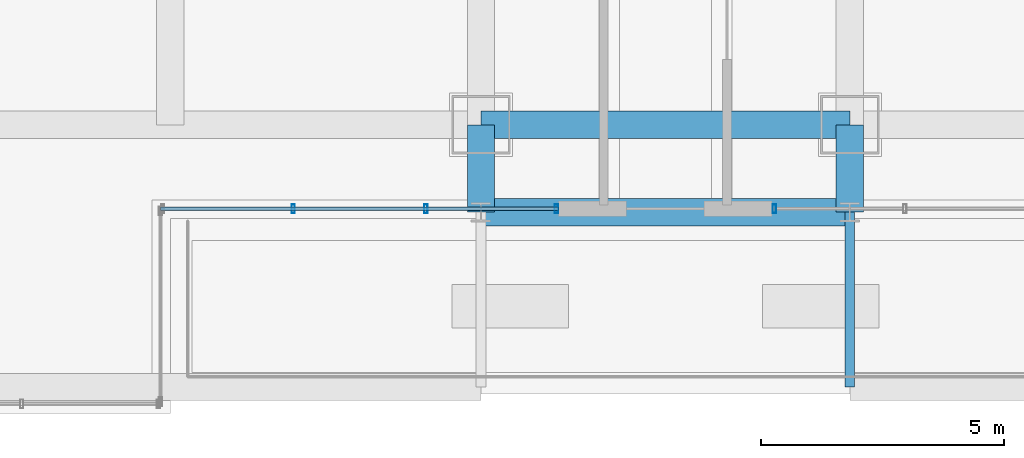
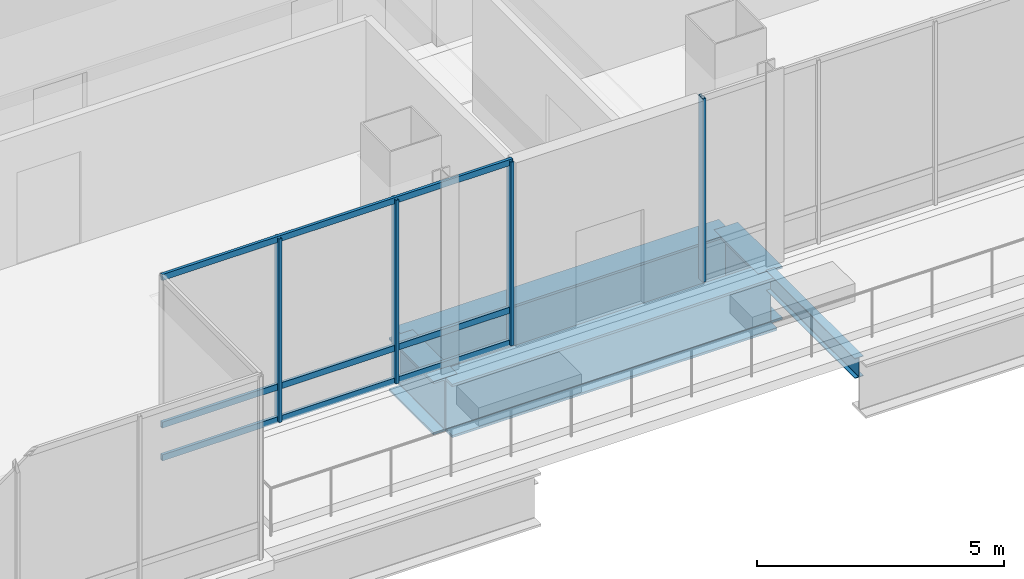
# One storey, part 7 of 44: 7 members, 5 beams, 2 elements without a shape of their own.
"""IFC4 building model written with IfcOpenShell, lengths in metres."""

import ifcopenshell
import ifcopenshell.guid

model = None  # the IFC model being written
_history = None  # IfcOwnerHistory: only IFC2X3 demands one
_inside = {}  # id of a spatial element -> (the spatial element, [elements in it])
_under = {}  # id of a project, library or spatial element -> (it, [spatial elements below it])
_declared = {}  # id of a project -> (the project, [libraries it declares])
_typed = {}  # id of a type object -> (the type object, [elements of that type])
_made_of = {}  # id of a material, layer set ... -> (it, [elements and type objects made of it])


def new_model(schema):
    """Start an empty IFC model of exactly this schema.

    Asked for "IFC4X3", IfcOpenShell would pick the latest addendum, in which some entities
    have other attributes; the version numbers below select the first issue.
    IFC2X3 requires an IfcOwnerHistory on every rooted entity: one is made here for all.
    """
    global model, _history
    if schema == "IFC4X3":
        model = ifcopenshell.file(schema_version=(4, 3, 0, 0))
    else:
        model = ifcopenshell.file(schema=schema)
    _inside.clear()
    _under.clear()
    _declared.clear()
    _typed.clear()
    _made_of.clear()
    _history = None
    if model.schema == "IFC2X3":
        org = make("IfcOrganization", Name="unknown")
        user = make(
            "IfcPersonAndOrganization",
            ThePerson=make("IfcPerson", FamilyName="unknown"),
            TheOrganization=org,
        )
        app = make(
            "IfcApplication",
            ApplicationDeveloper=org,
            Version="unknown",
            ApplicationFullName="unknown",
            ApplicationIdentifier="unknown",
        )
        _history = make(
            "IfcOwnerHistory",
            OwningUser=user,
            OwningApplication=app,
            ChangeAction="ADDED",
            CreationDate=0,
        )
    return model


def make(cls, **values):
    """One entity of the class cls with the attributes given. An attribute that is None is left unset."""
    return model.create_entity(
        cls, **{name: value for name, value in values.items() if value is not None}
    )


def rooted(cls, **values):
    """An entity with a GlobalId (a new one), such as an element, a storey or a relation."""
    return make(cls, GlobalId=ifcopenshell.guid.new(), OwnerHistory=_history, **values)


def si_unit(unit_type, name, prefix=None):
    """IfcSIUnit, for example si_unit("LENGTHUNIT", "METRE", prefix="MILLI")."""
    return make("IfcSIUnit", UnitType=unit_type, Prefix=prefix, Name=name)


def assignment(units):
    """IfcUnitAssignment: the units of a project."""
    return None if units is None else make("IfcUnitAssignment", Units=units)


def point(xyz):
    """IfcCartesianPoint."""
    return None if xyz is None else make("IfcCartesianPoint", Coordinates=xyz)


def direction(xyz):
    """IfcDirection."""
    return None if xyz is None else make("IfcDirection", DirectionRatios=xyz)


def frame(location, z_axis=None, x_axis=None):
    """IfcAxis2Placement3D, a coordinate frame: its origin and axes. An axis left out is left unset."""
    return make(
        "IfcAxis2Placement3D",
        Location=point(location),
        Axis=direction(z_axis),
        RefDirection=direction(x_axis),
    )


def frame_2d(location, x_axis=None):
    """IfcAxis2Placement2D, a coordinate frame in the plane: its origin and x axis."""
    return make(
        "IfcAxis2Placement2D", Location=point(location), RefDirection=direction(x_axis)
    )


def origin():
    """The frame at (0, 0, 0) with its axes left unset."""
    return frame((0.0, 0.0, 0.0))


def origin_2d():
    """The frame at (0, 0) in the plane with its x axis left unset."""
    return frame_2d((0.0, 0.0))


def place(relative_to, where):
    """IfcLocalPlacement: puts the frame where relative to a parent placement (None: the world)."""
    return make(
        "IfcLocalPlacement", PlacementRelTo=relative_to, RelativePlacement=where
    )


def context(
    kind, dimensions, precision=None, world=None, true_north=None, identifier=None
):
    """IfcGeometricRepresentationContext, for example the 3D "Model" context."""
    return make(
        "IfcGeometricRepresentationContext",
        ContextIdentifier=identifier,
        ContextType=kind,
        CoordinateSpaceDimension=dimensions,
        Precision=precision,
        WorldCoordinateSystem=world,
        TrueNorth=true_north,
    )


def subcontext(parent, identifier, kind, view, scale=None):
    """IfcGeometricRepresentationSubContext, for example "Body" below "Model"."""
    return make(
        "IfcGeometricRepresentationSubContext",
        ContextIdentifier=identifier,
        ContextType=kind,
        ParentContext=parent,
        TargetScale=scale,
        TargetView=view,
    )


def project(units=None, contexts=None):
    """IfcProject with its units and contexts."""
    return rooted(
        "IfcProject",
        Name="project",
        RepresentationContexts=contexts,
        UnitsInContext=assignment(units),
    )


def spatial(cls, under=None, at=None, **own):
    """A site, building, storey or space (cls), placed at a placement, below another one or the project."""
    s = rooted(cls, ObjectPlacement=at, **own)
    if under is not None:
        _under.setdefault(under.id(), (under, []))[1].append(s)
    return s


def profile(cls, at=None, kind="AREA", **sizes):
    """A parametric profile (cls). Its sizes go by their IFC names, for example OverallWidth=200.0."""
    return make(cls, ProfileType=kind, Position=at, **sizes)


def hollow_rectangle(**sizes):
    """IfcRectangleHollowProfileDef."""
    return profile("IfcRectangleHollowProfileDef", **sizes)


def i_section(**sizes):
    """IfcIShapeProfileDef."""
    return profile("IfcIShapeProfileDef", **sizes)


def extrude(swept, where, along, depth):
    """IfcExtrudedAreaSolid: the profile swept, set in the frame where, extruded along a direction by depth."""
    return make(
        "IfcExtrudedAreaSolid",
        SweptArea=swept,
        Position=where,
        ExtrudedDirection=direction(along),
        Depth=depth,
    )


def shape(context_of_items, identifier, shape_type, items):
    """IfcShapeRepresentation: the items that make up one representation, for example the "Body"."""
    return make(
        "IfcShapeRepresentation",
        ContextOfItems=context_of_items,
        RepresentationIdentifier=identifier,
        RepresentationType=shape_type,
        Items=items,
    )


def material(Name=None, Category=None):
    """IfcMaterial."""
    return make("IfcMaterial", Name=Name, Category=Category)


def material_profile(
    of_material, cross_section, Name=None, Category=None, Priority=None
):
    """IfcMaterialProfile: a cross section and its material."""
    return make(
        "IfcMaterialProfile",
        Name=Name,
        Material=of_material,
        Profile=cross_section,
        Priority=Priority,
        Category=Category,
    )


def profile_set(profiles, Name=None, composite=None):
    """IfcMaterialProfileSet."""
    return make(
        "IfcMaterialProfileSet",
        Name=Name,
        MaterialProfiles=profiles,
        CompositeProfile=composite,
    )


def made_of(thing, what):
    """Note that an element or type object is made of a material, layer set ...; save() writes the relation."""
    if what is not None:
        _made_of.setdefault(what.id(), (what, []))[1].append(thing)
    return thing


def type_object(cls, material=None, **own):
    """A type object (cls), such as IfcWallType, which elements share."""
    return made_of(rooted(cls, **own), material)


def element(
    cls,
    number,
    at=None,
    inside=None,
    cuts=None,
    type_object=None,
    material=None,
    context=None,
    identifier="Body",
    shape_type=None,
    held_by="IfcProductDefinitionShape",
    body=None,
    shapes=None,
    **own,
):
    """One element of the class cls, such as IfcWall. Its Tag is "e" and its number.

    at: its placement. inside: the storey or other place that contains it. cuts: it is an
    opening in that element (IfcRelVoidsElement). A single representation is given by context,
    identifier, shape_type and body (its items); several are given by shapes. held_by: the class
    of the entity that holds the representations. save() writes the other relations.
    """
    e = rooted(cls, Tag="e%d" % number, ObjectPlacement=at, **own)
    if body is not None:
        shapes = [shape(context, identifier, shape_type, body)]
    if shapes is not None:
        e.Representation = make(held_by, Representations=shapes)
    if inside is not None:
        _inside.setdefault(inside.id(), (inside, []))[1].append(e)
    if cuts is not None:
        rooted(
            "IfcRelVoidsElement", RelatingBuildingElement=cuts, RelatedOpeningElement=e
        )
    if type_object is not None:
        _typed.setdefault(type_object.id(), (type_object, []))[1].append(e)
    return made_of(e, material)


def aggregate(whole, parts):
    """IfcRelAggregates: a whole, such as a stair, and the parts it consists of."""
    return rooted("IfcRelAggregates", RelatingObject=whole, RelatedObjects=parts)


def save(model, path):
    """Write the relations noted so far, then the file.

    IfcRelAggregates (storeys below a building ...), IfcRelContainedInSpatialStructure (elements
    in a storey), IfcRelDefinesByType, IfcRelAssociatesMaterial and IfcRelDeclares: one each for
    every whole, place, type object, material and project.
    """
    for whole, parts in _under.values():
        aggregate(whole, parts)
    for where, things in _inside.values():
        rooted(
            "IfcRelContainedInSpatialStructure",
            RelatedElements=things,
            RelatingStructure=where,
        )
    for kind, things in _typed.values():
        rooted("IfcRelDefinesByType", RelatedObjects=things, RelatingType=kind)
    for what, things in _made_of.values():
        rooted("IfcRelAssociatesMaterial", RelatedObjects=things, RelatingMaterial=what)
    for by, libraries in _declared.values():
        rooted("IfcRelDeclares", RelatingContext=by, RelatedDefinitions=libraries)
    model.write(path)


model = new_model("IFC4")

# Units and contexts
model_context = context("Model", 3, precision=1e-05, world=origin(), true_north=direction((0.0, 1.0)))
body_context = subcontext(model_context, "Body", "Model", "MODEL_VIEW")
ifc_project = project(units=[si_unit("LENGTHUNIT", "METRE"), si_unit("AREAUNIT", "SQUARE_METRE"), si_unit("VOLUMEUNIT", "CUBIC_METRE"), si_unit("PLANEANGLEUNIT", "RADIAN"), si_unit("MASSUNIT", "GRAM", prefix="KILO")], contexts=[model_context])

# Site, building, storey
site_placement = place(None, origin())
site = spatial("IfcSite", under=ifc_project, at=site_placement, CompositionType="ELEMENT")
building_placement = place(site_placement, origin())
building = spatial("IfcBuilding", under=site, at=building_placement, Name="Punatoya Terracotta Tower", CompositionType="ELEMENT")
storey_placement = place(building_placement, frame((0.0, 0.0, 334.199951171875)))
storey = spatial("IfcBuildingStorey", under=building, at=storey_placement, Name="L79", CompositionType="ELEMENT", Elevation=334.199951171875)

# Beams
ifc_material_1 = material(Name="Steel S355", Category="steel")
ifc_material_profile_1 = material_profile(ifc_material_1, i_section(OverallWidth=0.199951171875, OverallDepth=0.5, WebThickness=0.01025390625, FlangeThickness=0.01611328125, FilletRadius=0.01806640625, at=origin_2d()))
ifc_profile_set_1 = profile_set([ifc_material_profile_1], Name="Steel S355")
beam_type_1 = type_object("IfcBeamType", Name="BM-SPN-500", PredefinedType="SPANDREL", material=ifc_profile_set_1)
beam_1_placement = place(storey_placement, frame((3.800048828125, -22.89990234375, -0.47998046875), z_axis=(0.0, 1.0, 0.0), x_axis=(-1.0, 0.0, 0.0)))
element("IfcBeam", 1, at=beam_1_placement, inside=storey, type_object=beam_type_1, Name="BM-L79-TERS-1-3", PredefinedType="SPANDREL", context=body_context, shape_type="SweptSolid", body=[
    extrude(i_section(OverallWidth=0.199951171875, OverallDepth=0.5, WebThickness=0.01025390625, FlangeThickness=0.01611328125, FilletRadius=0.01806640625, at=origin_2d()), origin(), (0.0, 0.0, 1.0), 3.599853515625),
])
ifc_material_2 = material(Name="Steel S460", Category="steel")
ifc_material_profile_2 = material_profile(ifc_material_2, i_section(OverallWidth=0.56005859375, OverallDepth=1.320068359375, WebThickness=0.035888671875, FlangeThickness=0.054931640625, FilletRadius=0.01806640625, at=origin_2d()))
ifc_profile_set_2 = profile_set([ifc_material_profile_2], Name="Steel S460")
beam_type_2 = type_object("IfcBeamType", Name="BM-TG-BLK", PredefinedType="BEAM", material=ifc_profile_set_2)
beam_2_placement = place(storey_placement, frame((-3.800048828125, -17.5, -0.919921875), z_axis=(1.0, 0.0, 0.0), x_axis=(0.0, 1.0, 0.0)))
element("IfcBeam", 2, at=beam_2_placement, inside=storey, type_object=beam_type_2, Name="BM-L79-RG-S2", PredefinedType="BEAM", context=body_context, shape_type="SweptSolid", body=[
    extrude(i_section(OverallWidth=0.56005859375, OverallDepth=1.320068359375, WebThickness=0.035888671875, FlangeThickness=0.054931640625, FilletRadius=0.01806640625, at=origin_2d()), origin(), (0.0, 0.0, 1.0), 7.60009765625),
])
for number, where, z_axis, x_axis, name in (
    (3, (-3.800048828125, -19.300048828125, -0.919921875), (0.0, 1.0, 0.0), (-1.0, 0.0, 0.0), "BM-L79-CANT-S2"),
    (4, (3.800048828125, -19.300048828125, -0.919921875), (0.0, 1.0, 0.0), (-1.0, 0.0, 0.0), "BM-L79-CANT-S3"),
):
    element("IfcBeam", number, at=place(storey_placement, frame(where, z_axis=z_axis, x_axis=x_axis)), inside=storey, type_object=beam_type_2, Name=name, PredefinedType="BEAM", context=body_context, shape_type="SweptSolid", body=[
        extrude(i_section(OverallWidth=0.56005859375, OverallDepth=1.320068359375, WebThickness=0.035888671875, FlangeThickness=0.054931640625, FilletRadius=0.01806640625, at=origin_2d()), origin(), (0.0, 0.0, 1.0), 1.800048828125),
    ])
beam_3_placement = place(storey_placement, frame((-3.800048828125, -19.300048828125, -0.919921875), z_axis=(1.0, 0.0, 0.0), x_axis=(0.0, 1.0, 0.0)))
element("IfcBeam", 5, at=beam_3_placement, inside=storey, type_object=beam_type_2, Name="BM-L79-PER-S2", PredefinedType="BEAM", context=body_context, shape_type="SweptSolid", body=[
    extrude(i_section(OverallWidth=0.56005859375, OverallDepth=1.320068359375, WebThickness=0.035888671875, FlangeThickness=0.054931640625, FilletRadius=0.01806640625, at=origin_2d()), origin(), (0.0, 0.0, 1.0), 7.60009765625),
])

# Curtain wall, members
ifc_material_3 = material(Name="Aluminium 6063-T6 + Double Low-E Glass", Category="aluminium")
curtain_wall_type = type_object("IfcCurtainWallType", Name="CW-OBS", PredefinedType="NOTDEFINED", material=ifc_material_3)
curtain_wall_1_placement = place(storey_placement, origin())
curtain_wall_1 = element("IfcCurtainWall", 6, at=curtain_wall_1_placement, inside=storey, type_object=curtain_wall_type, Name="L79 Curtain Wall CW-L79-S4A1", PredefinedType="NOTDEFINED")
ifc_material_4 = material(Name="Aluminium 6063-T6", Category="aluminium")
ifc_material_profile_3 = material_profile(ifc_material_4, hollow_rectangle(XDim=0.070068359375, YDim=0.179931640625, WallThickness=0.00390625, at=origin_2d()))
ifc_profile_set_3 = profile_set([ifc_material_profile_3], Name="Aluminium 6063-T6")
member_type_1 = type_object("IfcMemberType", Name="CW-MUL-M3", PredefinedType="MULLION", material=ifc_profile_set_3)
member_1_placement = place(storey_placement, frame((-7.666748046875, -19.22998046875, 0.0), z_axis=(0.0, 0.0, 1.0), x_axis=(1.0, 0.0, 0.0)))
member_1 = element("IfcMember", 7, at=member_1_placement, type_object=member_type_1, Name="CW-L79-S4A1 Mullion 01", PredefinedType="MULLION", context=body_context, shape_type="SweptSolid", body=[
    extrude(hollow_rectangle(XDim=0.070068359375, YDim=0.179931640625, WallThickness=0.00390625, at=origin_2d()), origin(), (0.0, 0.0, 1.0), 4.5400390625),
])
member_2_placement = place(storey_placement, frame((-4.933349609375, -19.22998046875, 0.0), z_axis=(0.0, 0.0, 1.0), x_axis=(1.0, 0.0, 0.0)))
member_2 = element("IfcMember", 8, at=member_2_placement, type_object=member_type_1, Name="CW-L79-S4A1 Mullion 02", PredefinedType="MULLION", context=body_context, shape_type="SweptSolid", body=[
    extrude(hollow_rectangle(XDim=0.070068359375, YDim=0.179931640625, WallThickness=0.00390625, at=origin_2d()), origin(), (0.0, 0.0, 1.0), 4.5400390625),
])
member_3_placement = place(storey_placement, frame((-2.2451171875, -19.22998046875, 0.0), z_axis=(0.0, 0.0, 1.0), x_axis=(1.0, 0.0, 0.0)))
member_3 = element("IfcMember", 9, at=member_3_placement, type_object=member_type_1, Name="CW-L79-S4A1 Mullion 03", PredefinedType="MULLION", context=body_context, shape_type="SweptSolid", body=[
    extrude(hollow_rectangle(XDim=0.070068359375, YDim=0.179931640625, WallThickness=0.00390625, at=origin_2d()), origin(), (0.0, 0.0, 1.0), 4.5400390625),
])

# Curtain wall, member
curtain_wall_2_placement = place(storey_placement, origin())
curtain_wall_2 = element("IfcCurtainWall", 10, at=curtain_wall_2_placement, inside=storey, type_object=curtain_wall_type, Name="L79 Curtain Wall CW-L79-S4B1", PredefinedType="NOTDEFINED")
member_4_placement = place(storey_placement, frame((2.2451171875, -19.22998046875, 0.0), z_axis=(0.0, 0.0, 1.0), x_axis=(1.0, 0.0, 0.0)))
member_4 = element("IfcMember", 11, at=member_4_placement, type_object=member_type_1, Name="CW-L79-S4B1 Mullion 00", PredefinedType="MULLION", context=body_context, shape_type="SweptSolid", body=[
    extrude(hollow_rectangle(XDim=0.070068359375, YDim=0.179931640625, WallThickness=0.00390625, at=origin_2d()), origin(), (0.0, 0.0, 1.0), 4.5400390625),
])
aggregate(curtain_wall_2, [member_4])

# Member
ifc_material_profile_4 = material_profile(ifc_material_4, hollow_rectangle(XDim=0.068115234375, YDim=0.14990234375, WallThickness=0.00390625, at=origin_2d()))
ifc_profile_set_4 = profile_set([ifc_material_profile_4], Name="Aluminium 6063-T6")
member_type_2 = type_object("IfcMemberType", Name="CW-TRN-TYP", PredefinedType="USERDEFINED", material=ifc_profile_set_4)
member_5_placement = place(storey_placement, frame((-10.39990234375, -19.22998046875, 0.0400390625), z_axis=(1.0, 0.0, 0.0), x_axis=(0.0, 1.0, 0.0)))
member_5 = element("IfcMember", 12, at=member_5_placement, type_object=member_type_2, Name="CW-L79-S4A1 Transom 1", ObjectType="TRANSOM", PredefinedType="USERDEFINED", context=body_context, shape_type="SweptSolid", body=[
    extrude(hollow_rectangle(XDim=0.068115234375, YDim=0.14990234375, WallThickness=0.00390625, at=origin_2d()), origin(), (0.0, 0.0, 1.0), 8.199951171875),
])

member_6_placement = place(storey_placement, frame((-10.39990234375, -19.22998046875, 0.85009765625), z_axis=(1.0, 0.0, 0.0), x_axis=(0.0, 1.0, 0.0)))
member_6 = element("IfcMember", 13, at=member_6_placement, type_object=member_type_2, Name="CW-L79-S4A1 Transom 2", ObjectType="TRANSOM", PredefinedType="USERDEFINED", context=body_context, shape_type="SweptSolid", body=[
    extrude(hollow_rectangle(XDim=0.068115234375, YDim=0.14990234375, WallThickness=0.00390625, at=origin_2d()), origin(), (0.0, 0.0, 1.0), 8.199951171875),
])

member_7_placement = place(storey_placement, frame((-10.39990234375, -19.22998046875, 4.5), z_axis=(1.0, 0.0, 0.0), x_axis=(0.0, 1.0, 0.0)))
member_7 = element("IfcMember", 14, at=member_7_placement, type_object=member_type_2, Name="CW-L79-S4A1 Transom 3", ObjectType="TRANSOM", PredefinedType="USERDEFINED", context=body_context, shape_type="SweptSolid", body=[
    extrude(hollow_rectangle(XDim=0.068115234375, YDim=0.14990234375, WallThickness=0.00390625, at=origin_2d()), origin(), (0.0, 0.0, 1.0), 8.199951171875),
])

aggregate(curtain_wall_1, [member_1, member_2, member_3, member_5, member_6, member_7])

save(model, "model.ifc")
